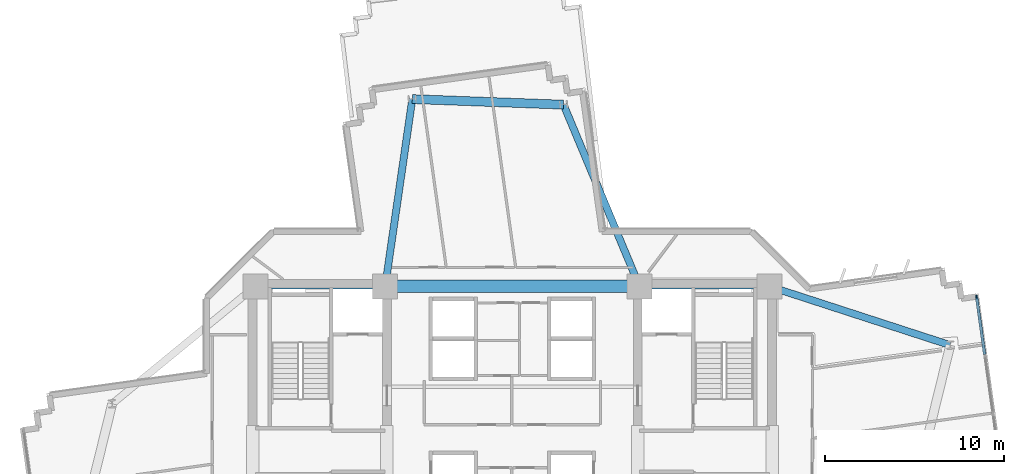
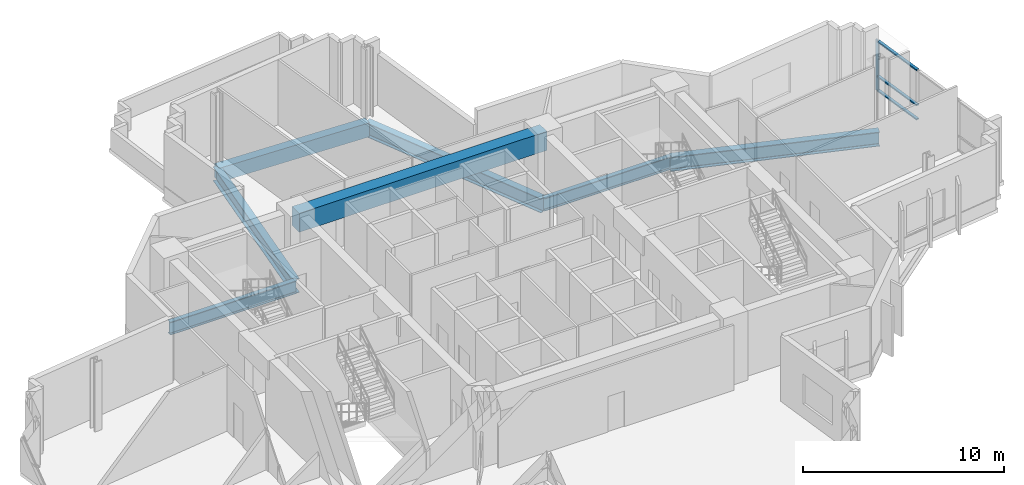
# One storey, part 4 of 13: 7 beams, 4 members, 1 element without a shape of its own.
"""IFC4 building model written with IfcOpenShell, lengths in metres."""

import ifcopenshell
import ifcopenshell.guid

model = None  # the IFC model being written
_history = None  # IfcOwnerHistory: only IFC2X3 demands one
_inside = {}  # id of a spatial element -> (the spatial element, [elements in it])
_under = {}  # id of a project, library or spatial element -> (it, [spatial elements below it])
_declared = {}  # id of a project -> (the project, [libraries it declares])
_typed = {}  # id of a type object -> (the type object, [elements of that type])
_made_of = {}  # id of a material, layer set ... -> (it, [elements and type objects made of it])


def new_model(schema):
    """Start an empty IFC model of exactly this schema.

    Asked for "IFC4X3", IfcOpenShell would pick the latest addendum, in which some entities
    have other attributes; the version numbers below select the first issue.
    IFC2X3 requires an IfcOwnerHistory on every rooted entity: one is made here for all.
    """
    global model, _history
    if schema == "IFC4X3":
        model = ifcopenshell.file(schema_version=(4, 3, 0, 0))
    else:
        model = ifcopenshell.file(schema=schema)
    _inside.clear()
    _under.clear()
    _declared.clear()
    _typed.clear()
    _made_of.clear()
    _history = None
    if model.schema == "IFC2X3":
        org = make("IfcOrganization", Name="unknown")
        user = make(
            "IfcPersonAndOrganization",
            ThePerson=make("IfcPerson", FamilyName="unknown"),
            TheOrganization=org,
        )
        app = make(
            "IfcApplication",
            ApplicationDeveloper=org,
            Version="unknown",
            ApplicationFullName="unknown",
            ApplicationIdentifier="unknown",
        )
        _history = make(
            "IfcOwnerHistory",
            OwningUser=user,
            OwningApplication=app,
            ChangeAction="ADDED",
            CreationDate=0,
        )
    return model


def make(cls, **values):
    """One entity of the class cls with the attributes given. An attribute that is None is left unset."""
    return model.create_entity(
        cls, **{name: value for name, value in values.items() if value is not None}
    )


def rooted(cls, **values):
    """An entity with a GlobalId (a new one), such as an element, a storey or a relation."""
    return make(cls, GlobalId=ifcopenshell.guid.new(), OwnerHistory=_history, **values)


def si_unit(unit_type, name, prefix=None):
    """IfcSIUnit, for example si_unit("LENGTHUNIT", "METRE", prefix="MILLI")."""
    return make("IfcSIUnit", UnitType=unit_type, Prefix=prefix, Name=name)


def assignment(units):
    """IfcUnitAssignment: the units of a project."""
    return None if units is None else make("IfcUnitAssignment", Units=units)


def point(xyz):
    """IfcCartesianPoint."""
    return None if xyz is None else make("IfcCartesianPoint", Coordinates=xyz)


def direction(xyz):
    """IfcDirection."""
    return None if xyz is None else make("IfcDirection", DirectionRatios=xyz)


def frame(location, z_axis=None, x_axis=None):
    """IfcAxis2Placement3D, a coordinate frame: its origin and axes. An axis left out is left unset."""
    return make(
        "IfcAxis2Placement3D",
        Location=point(location),
        Axis=direction(z_axis),
        RefDirection=direction(x_axis),
    )


def frame_2d(location, x_axis=None):
    """IfcAxis2Placement2D, a coordinate frame in the plane: its origin and x axis."""
    return make(
        "IfcAxis2Placement2D", Location=point(location), RefDirection=direction(x_axis)
    )


def origin():
    """The frame at (0, 0, 0) with its axes left unset."""
    return frame((0.0, 0.0, 0.0))


def origin_2d():
    """The frame at (0, 0) in the plane with its x axis left unset."""
    return frame_2d((0.0, 0.0))


def place(relative_to, where):
    """IfcLocalPlacement: puts the frame where relative to a parent placement (None: the world)."""
    return make(
        "IfcLocalPlacement", PlacementRelTo=relative_to, RelativePlacement=where
    )


def context(
    kind, dimensions, precision=None, world=None, true_north=None, identifier=None
):
    """IfcGeometricRepresentationContext, for example the 3D "Model" context."""
    return make(
        "IfcGeometricRepresentationContext",
        ContextIdentifier=identifier,
        ContextType=kind,
        CoordinateSpaceDimension=dimensions,
        Precision=precision,
        WorldCoordinateSystem=world,
        TrueNorth=true_north,
    )


def subcontext(parent, identifier, kind, view, scale=None):
    """IfcGeometricRepresentationSubContext, for example "Body" below "Model"."""
    return make(
        "IfcGeometricRepresentationSubContext",
        ContextIdentifier=identifier,
        ContextType=kind,
        ParentContext=parent,
        TargetScale=scale,
        TargetView=view,
    )


def project(units=None, contexts=None):
    """IfcProject with its units and contexts."""
    return rooted(
        "IfcProject",
        Name="project",
        RepresentationContexts=contexts,
        UnitsInContext=assignment(units),
    )


def spatial(cls, under=None, at=None, **own):
    """A site, building, storey or space (cls), placed at a placement, below another one or the project."""
    s = rooted(cls, ObjectPlacement=at, **own)
    if under is not None:
        _under.setdefault(under.id(), (under, []))[1].append(s)
    return s


def profile(cls, at=None, kind="AREA", **sizes):
    """A parametric profile (cls). Its sizes go by their IFC names, for example OverallWidth=200.0."""
    return make(cls, ProfileType=kind, Position=at, **sizes)


def rectangle(**sizes):
    """IfcRectangleProfileDef."""
    return profile("IfcRectangleProfileDef", **sizes)


def i_section(**sizes):
    """IfcIShapeProfileDef."""
    return profile("IfcIShapeProfileDef", **sizes)


def extrude(swept, where, along, depth):
    """IfcExtrudedAreaSolid: the profile swept, set in the frame where, extruded along a direction by depth."""
    return make(
        "IfcExtrudedAreaSolid",
        SweptArea=swept,
        Position=where,
        ExtrudedDirection=direction(along),
        Depth=depth,
    )


def shape(context_of_items, identifier, shape_type, items):
    """IfcShapeRepresentation: the items that make up one representation, for example the "Body"."""
    return make(
        "IfcShapeRepresentation",
        ContextOfItems=context_of_items,
        RepresentationIdentifier=identifier,
        RepresentationType=shape_type,
        Items=items,
    )


def source(mapping_origin, context_of_items, identifier, shape_type, items):
    """IfcRepresentationMap: a shape defined once, which mapped items show again and again."""
    return make(
        "IfcRepresentationMap",
        MappingOrigin=mapping_origin,
        MappedRepresentation=shape(context_of_items, identifier, shape_type, items),
    )


def transform(
    local_origin,
    x_axis=None,
    y_axis=None,
    z_axis=None,
    scale=None,
    scale2=None,
    scale3=None,
    uniform=True,
):
    """IfcCartesianTransformationOperator3D, or its non-uniform kind. x_axis, y_axis, z_axis: its Axis1, 2, 3."""
    if uniform:
        return make(
            "IfcCartesianTransformationOperator3D",
            Axis1=direction(x_axis),
            Axis2=direction(y_axis),
            LocalOrigin=point(local_origin),
            Scale=scale,
            Axis3=direction(z_axis),
        )
    return make(
        "IfcCartesianTransformationOperator3DnonUniform",
        Axis1=direction(x_axis),
        Axis2=direction(y_axis),
        LocalOrigin=point(local_origin),
        Scale=scale,
        Axis3=direction(z_axis),
        Scale2=scale2,
        Scale3=scale3,
    )


def mapped(mapping_source, mapping_target):
    """IfcMappedItem: shows the shape of a source again, moved by a transform."""
    return make(
        "IfcMappedItem", MappingSource=mapping_source, MappingTarget=mapping_target
    )


def material(Name=None, Category=None):
    """IfcMaterial."""
    return make("IfcMaterial", Name=Name, Category=Category)


def layer(
    of_material, thickness, ventilated=None, Name=None, Category=None, Priority=None
):
    """IfcMaterialLayer: one layer of a wall or slab, of a material (None: an air gap)."""
    return make(
        "IfcMaterialLayer",
        Material=of_material,
        LayerThickness=thickness,
        IsVentilated=ventilated,
        Name=Name,
        Category=Category,
        Priority=Priority,
    )


def layer_set(layers, Name=None):
    """IfcMaterialLayerSet."""
    return make("IfcMaterialLayerSet", MaterialLayers=layers, LayerSetName=Name)


def material_profile(
    of_material, cross_section, Name=None, Category=None, Priority=None
):
    """IfcMaterialProfile: a cross section and its material."""
    return make(
        "IfcMaterialProfile",
        Name=Name,
        Material=of_material,
        Profile=cross_section,
        Priority=Priority,
        Category=Category,
    )


def profile_set(profiles, Name=None, composite=None):
    """IfcMaterialProfileSet."""
    return make(
        "IfcMaterialProfileSet",
        Name=Name,
        MaterialProfiles=profiles,
        CompositeProfile=composite,
    )


def made_of(thing, what):
    """Note that an element or type object is made of a material, layer set ...; save() writes the relation."""
    if what is not None:
        _made_of.setdefault(what.id(), (what, []))[1].append(thing)
    return thing


def type_object(cls, material=None, **own):
    """A type object (cls), such as IfcWallType, which elements share."""
    return made_of(rooted(cls, **own), material)


def element(
    cls,
    number,
    at=None,
    inside=None,
    cuts=None,
    type_object=None,
    material=None,
    context=None,
    identifier="Body",
    shape_type=None,
    held_by="IfcProductDefinitionShape",
    body=None,
    shapes=None,
    **own,
):
    """One element of the class cls, such as IfcWall. Its Tag is "e" and its number.

    at: its placement. inside: the storey or other place that contains it. cuts: it is an
    opening in that element (IfcRelVoidsElement). A single representation is given by context,
    identifier, shape_type and body (its items); several are given by shapes. held_by: the class
    of the entity that holds the representations. save() writes the other relations.
    """
    e = rooted(cls, Tag="e%d" % number, ObjectPlacement=at, **own)
    if body is not None:
        shapes = [shape(context, identifier, shape_type, body)]
    if shapes is not None:
        e.Representation = make(held_by, Representations=shapes)
    if inside is not None:
        _inside.setdefault(inside.id(), (inside, []))[1].append(e)
    if cuts is not None:
        rooted(
            "IfcRelVoidsElement", RelatingBuildingElement=cuts, RelatedOpeningElement=e
        )
    if type_object is not None:
        _typed.setdefault(type_object.id(), (type_object, []))[1].append(e)
    return made_of(e, material)


def aggregate(whole, parts):
    """IfcRelAggregates: a whole, such as a stair, and the parts it consists of."""
    return rooted("IfcRelAggregates", RelatingObject=whole, RelatedObjects=parts)


def save(model, path):
    """Write the relations noted so far, then the file.

    IfcRelAggregates (storeys below a building ...), IfcRelContainedInSpatialStructure (elements
    in a storey), IfcRelDefinesByType, IfcRelAssociatesMaterial and IfcRelDeclares: one each for
    every whole, place, type object, material and project.
    """
    for whole, parts in _under.values():
        aggregate(whole, parts)
    for where, things in _inside.values():
        rooted(
            "IfcRelContainedInSpatialStructure",
            RelatedElements=things,
            RelatingStructure=where,
        )
    for kind, things in _typed.values():
        rooted("IfcRelDefinesByType", RelatedObjects=things, RelatingType=kind)
    for what, things in _made_of.values():
        rooted("IfcRelAssociatesMaterial", RelatedObjects=things, RelatingMaterial=what)
    for by, libraries in _declared.values():
        rooted("IfcRelDeclares", RelatingContext=by, RelatedDefinitions=libraries)
    model.write(path)


model = new_model("IFC4")

# Units and contexts
model_context = context("Model", 3, precision=1e-05, world=origin(), true_north=direction((0.0, 1.0)))
body_context = subcontext(model_context, "Body", "Model", "MODEL_VIEW")
ifc_project = project(units=[si_unit("LENGTHUNIT", "METRE"), si_unit("AREAUNIT", "SQUARE_METRE"), si_unit("VOLUMEUNIT", "CUBIC_METRE"), si_unit("PLANEANGLEUNIT", "RADIAN"), si_unit("MASSUNIT", "GRAM", prefix="KILO")], contexts=[model_context])

# Site, building, storey
site_placement = place(None, origin())
site = spatial("IfcSite", under=ifc_project, at=site_placement, CompositionType="ELEMENT")
building_placement = place(site_placement, origin())
building = spatial("IfcBuilding", under=site, at=building_placement, Name="Zahravan Cultural Tower", CompositionType="ELEMENT")
storey_placement = place(building_placement, frame((0.0, 0.0, 117.300048828125)))
storey = spatial("IfcBuildingStorey", under=building, at=storey_placement, Name="L26", CompositionType="ELEMENT", Elevation=117.300048828125)

# Beams
ifc_material_1 = material(Name="Concrete C50/60", Category="concrete")
ifc_material_profile_1 = material_profile(ifc_material_1, rectangle(XDim=0.699951171875, YDim=1.14990234375, at=origin_2d()), Name="RC700X1150")
ifc_profile_set_1 = profile_set([ifc_material_profile_1], Name="Concrete C50/60")
beam_type_1 = type_object("IfcBeamType", Name="BM-LN-RC700X1150", PredefinedType="LINTEL", material=ifc_profile_set_1)
shared_shape_1 = source(origin(), body_context, "Body", "SweptSolid", [
    extrude(rectangle(XDim=0.699951171875, YDim=1.14990234375, at=origin_2d()), origin(), (0.0, 0.0, 1.0), 14.2001953125),
])
beam_1_placement = place(storey_placement, frame((28.89990234375, 36.199951171875, 3.375), z_axis=(1.0, 0.0, 0.0), x_axis=(0.0, 1.0, 0.0)))
element("IfcBeam", 1, at=beam_1_placement, inside=storey, type_object=beam_type_1, Name="L26 Beam LN-L26-N", PredefinedType="LINTEL", context=body_context, shape_type="MappedRepresentation", body=[
    mapped(shared_shape_1, transform((0.0, 0.0, 0.0), x_axis=(1.0, 0.0, 0.0), y_axis=(0.0, 1.0, 0.0), z_axis=(0.0, 0.0, 1.0), scale=1.0)),
])
ifc_material_2 = material(Name="Steel ASTM A992 Grade 50", Category="steel")
ifc_material_profile_2 = material_profile(ifc_material_2, i_section(OverallWidth=0.26611328125, OverallDepth=0.780029296875, WebThickness=0.0166015625, FlangeThickness=0.030029296875, FilletRadius=0.01904296875, at=origin_2d()), Name="W30X148")
ifc_profile_set_2 = profile_set([ifc_material_profile_2], Name="Steel ASTM A992 Grade 50")
beam_type_2 = type_object("IfcBeamType", Name="BM-G-W30X148", PredefinedType="BEAM", material=ifc_profile_set_2)
shared_shape_2 = source(origin(), body_context, "Body", "SweptSolid", [
    extrude(i_section(OverallWidth=0.26611328125, OverallDepth=0.780029296875, WebThickness=0.0166015625, FlangeThickness=0.030029296875, FilletRadius=0.01904296875, at=origin_2d()), origin(), (0.0, 0.0, 1.0), 7.25),
])
for number, where, z_axis, x_axis, name in (
    (2, (21.64990234375, 36.199951171875, -0.64013671875), (1.0, 0.0, 0.0), (0.0, 1.0, 0.0), "L26 Beam BG-L26-02"),
    (3, (43.10009765625, 36.199951171875, -0.64013671875), (1.0, 0.0, 0.0), (0.0, 1.0, 0.0), "L26 Beam BG-L26-05"),
):
    element("IfcBeam", number, at=place(storey_placement, frame(where, z_axis=z_axis, x_axis=x_axis)), inside=storey, type_object=beam_type_2, Name=name, PredefinedType="BEAM", context=body_context, shape_type="MappedRepresentation", body=[
        mapped(shared_shape_2, transform((0.0, 0.0, 0.0), x_axis=(1.0, 0.0, 0.0), y_axis=(0.0, 1.0, 0.0), z_axis=(0.0, 0.0, 1.0), scale=1.0)),
    ])
ifc_material_profile_3 = material_profile(ifc_material_1, rectangle(XDim=0.5, YDim=0.85009765625, at=origin_2d()), Name="RC500X850")
ifc_profile_set_3 = profile_set([ifc_material_profile_3], Name="Concrete C50/60")
beam_type_3 = type_object("IfcBeamType", Name="BM-SP-RC500X850", PredefinedType="SPANDREL", material=ifc_profile_set_3)
shared_shape_3 = source(origin(), body_context, "Body", "SweptSolid", [
    extrude(rectangle(XDim=0.5, YDim=0.85009765625, at=origin_2d()), origin(), (0.0, 0.0, 1.0), 8.4482421875),
])
beam_2_placement = place(storey_placement, frame((38.857421875, 46.346435546875, -0.675048828125), z_axis=(-0.999318826256, 0.036903705643, 0.0), x_axis=(-0.036903705643, -0.999318826256, 0.0)))
element("IfcBeam", 4, at=beam_2_placement, inside=storey, type_object=beam_type_3, Name="L26 Beam SP-L26-17", PredefinedType="SPANDREL", context=body_context, shape_type="MappedRepresentation", body=[
    mapped(shared_shape_3, transform((0.0, 0.0, 0.0), x_axis=(1.0, 0.0, 0.0), y_axis=(0.0, 1.0, 0.0), z_axis=(0.0, 0.0, 1.0), scale=1.0)),
])
ifc_material_profile_4 = material_profile(ifc_material_2, i_section(OverallWidth=0.39990234375, OverallDepth=0.862060546875, WebThickness=0.019775390625, FlangeThickness=0.032470703125, FilletRadius=0.02001953125, at=origin_2d()), Name="W33X221")
ifc_profile_set_4 = profile_set([ifc_material_profile_4], Name="Steel ASTM A992 Grade 50")
beam_type_4 = type_object("IfcBeamType", Name="BM-G-W33X221", PredefinedType="BEAM", material=ifc_profile_set_4)
shared_shape_4 = source(origin(), body_context, "Body", "SweptSolid", [
    extrude(i_section(OverallWidth=0.39990234375, OverallDepth=0.862060546875, WebThickness=0.019775390625, FlangeThickness=0.032470703125, FilletRadius=0.02001953125, at=origin_2d()), origin(), (0.0, 0.0, 1.0), 10.615966796875),
])
beam_3_placement = place(storey_placement, frame((50.35009765625, 36.199951171875, -0.68115234375), z_axis=(0.951063640083, -0.30899506875, 0.0), x_axis=(0.30899506875, 0.951063640083, 0.0)))
element("IfcBeam", 5, at=beam_3_placement, inside=storey, type_object=beam_type_4, Name="L26 Beam BG-L26-11", PredefinedType="BEAM", context=body_context, shape_type="MappedRepresentation", body=[
    mapped(shared_shape_4, transform((0.0, 0.0, 0.0), x_axis=(1.0, 0.0, 0.0), y_axis=(0.0, 1.0, 0.0), z_axis=(0.0, 0.0, 1.0), scale=1.0)),
])
shared_shape_5 = source(origin(), body_context, "Body", "SweptSolid", [
    extrude(i_section(OverallWidth=0.39990234375, OverallDepth=0.862060546875, WebThickness=0.019775390625, FlangeThickness=0.032470703125, FilletRadius=0.02001953125, at=origin_2d()), origin(), (0.0, 0.0, 1.0), 10.997802734375),
])
beam_4_placement = place(storey_placement, frame((43.10009765625, 36.199951171875, -0.68115234375), z_axis=(-0.385775211449, 0.922592806297, 0.0), x_axis=(-0.922592806297, -0.385775211449, 0.0)))
element("IfcBeam", 6, at=beam_4_placement, inside=storey, type_object=beam_type_4, Name="L26 Beam BG-L26-12", PredefinedType="BEAM", context=body_context, shape_type="MappedRepresentation", body=[
    mapped(shared_shape_5, transform((0.0, 0.0, 0.0), x_axis=(1.0, 0.0, 0.0), y_axis=(0.0, 1.0, 0.0), z_axis=(0.0, 0.0, 1.0), scale=1.0)),
])
shared_shape_6 = source(origin(), body_context, "Body", "SweptSolid", [
    extrude(i_section(OverallWidth=0.39990234375, OverallDepth=0.862060546875, WebThickness=0.019775390625, FlangeThickness=0.032470703125, FilletRadius=0.02001953125, at=origin_2d()), origin(), (0.0, 0.0, 1.0), 10.5673828125),
])
beam_5_placement = place(storey_placement, frame((28.89990234375, 36.199951171875, -0.68115234375), z_axis=(0.143377913539, 0.989668011966, 0.0), x_axis=(-0.989668011966, 0.143377913539, 0.0)))
element("IfcBeam", 7, at=beam_5_placement, inside=storey, type_object=beam_type_4, Name="L26 Beam BG-L26-13", PredefinedType="BEAM", context=body_context, shape_type="MappedRepresentation", body=[
    mapped(shared_shape_6, transform((0.0, 0.0, 0.0), x_axis=(1.0, 0.0, 0.0), y_axis=(0.0, 1.0, 0.0), z_axis=(0.0, 0.0, 1.0), scale=1.0)),
])

# Curtain wall, members
ifc_material_3 = material(Name="Anodised bronze-aluminium mullion", Category="aluminium")
ifc_layer = layer(ifc_material_3, 0.219970703125)
ifc_layer_set = layer_set([ifc_layer], Name="Anodised bronze-aluminium mullion")
curtain_wall_type = type_object("IfcCurtainWallType", Name="CW-SYS-1", PredefinedType="USERDEFINED", material=ifc_layer_set)
curtain_wall_placement = place(storey_placement, origin())
curtain_wall = element("IfcCurtainWall", 8, at=curtain_wall_placement, inside=storey, type_object=curtain_wall_type, Name="L26 Recessed Curtain Wall CW-1.1", ObjectType="RECESSED GLAZING", PredefinedType="USERDEFINED")
ifc_material_profile_5 = material_profile(ifc_material_3, rectangle(XDim=0.080078125, YDim=0.219970703125, at=origin_2d()), Name="AL-M80X220")
ifc_profile_set_5 = profile_set([ifc_material_profile_5], Name="Anodised bronze-aluminium mullion")
member_type_1 = type_object("IfcMemberType", Name="CWM-CW-1", PredefinedType="MULLION", material=ifc_profile_set_5)
shared_shape_7 = source(origin(), body_context, "Body", "SweptSolid", [
    extrude(rectangle(XDim=0.080078125, YDim=0.219970703125, at=origin_2d()), origin(), (0.0, 0.0, 1.0), 3.070068359375),
])
member_1_placement = place(storey_placement, frame((61.916748046875, 35.601318359375, 0.0), z_axis=(0.0, 0.0, 1.0), x_axis=(0.99031626157, 0.138829759313, 0.0)))
member_1 = element("IfcMember", 9, at=member_1_placement, type_object=member_type_1, Name="CW-1 mullion 1", PredefinedType="MULLION", context=body_context, shape_type="MappedRepresentation", body=[
    mapped(shared_shape_7, transform((0.0, 0.0, 0.0), x_axis=(1.0, 0.0, 0.0), y_axis=(0.0, 1.0, 0.0), z_axis=(0.0, 0.0, 1.0), scale=1.0)),
])
ifc_material_profile_6 = material_profile(ifc_material_3, rectangle(XDim=0.159912109375, YDim=0.080078125, at=origin_2d()), Name="AL-T80X160")
ifc_profile_set_6 = profile_set([ifc_material_profile_6], Name="Anodised bronze-aluminium mullion")
member_type_2 = type_object("IfcMemberType", Name="CWT-CW-1", PredefinedType="USERDEFINED", material=ifc_profile_set_6)
shared_shape_8 = source(origin(), body_context, "Body", "SweptSolid", [
    extrude(rectangle(XDim=0.159912109375, YDim=0.080078125, at=origin_2d()), origin(), (0.0, 0.0, 1.0), 3.186767578125),
])
member_2_placement = place(storey_placement, frame((61.92236328125, 35.561767578125, 0.0400390625), z_axis=(0.138814644178, -0.990318380402, 0.0), x_axis=(0.990318380402, 0.138814644178, 0.0)))
member_2 = element("IfcMember", 10, at=member_2_placement, type_object=member_type_2, Name="CW-1 transom 1.1", ObjectType="TRANSOM", PredefinedType="USERDEFINED", context=body_context, shape_type="MappedRepresentation", body=[
    mapped(shared_shape_8, transform((0.0, 0.0, 0.0), x_axis=(1.0, 0.0, 0.0), y_axis=(0.0, 1.0, 0.0), z_axis=(0.0, 0.0, 1.0), scale=1.0)),
])
member_3_placement = place(storey_placement, frame((61.92236328125, 35.561767578125, 0.89990234375), z_axis=(0.138814644178, -0.990318380402, 0.0), x_axis=(0.990318380402, 0.138814644178, 0.0)))
member_3 = element("IfcMember", 11, at=member_3_placement, type_object=member_type_2, Name="CW-1 transom 1.2", ObjectType="TRANSOM", PredefinedType="USERDEFINED", context=body_context, shape_type="MappedRepresentation", body=[
    mapped(shared_shape_8, transform((0.0, 0.0, 0.0), x_axis=(1.0, 0.0, 0.0), y_axis=(0.0, 1.0, 0.0), z_axis=(0.0, 0.0, 1.0), scale=1.0)),
])
member_4_placement = place(storey_placement, frame((61.92236328125, 35.561767578125, 3.030029296875), z_axis=(0.138814644178, -0.990318380402, 0.0), x_axis=(0.990318380402, 0.138814644178, 0.0)))
member_4 = element("IfcMember", 12, at=member_4_placement, type_object=member_type_2, Name="CW-1 transom 1.3", ObjectType="TRANSOM", PredefinedType="USERDEFINED", context=body_context, shape_type="MappedRepresentation", body=[
    mapped(shared_shape_8, transform((0.0, 0.0, 0.0), x_axis=(1.0, 0.0, 0.0), y_axis=(0.0, 1.0, 0.0), z_axis=(0.0, 0.0, 1.0), scale=1.0)),
])
aggregate(curtain_wall, [member_1, member_2, member_3, member_4])

save(model, "model.ifc")
